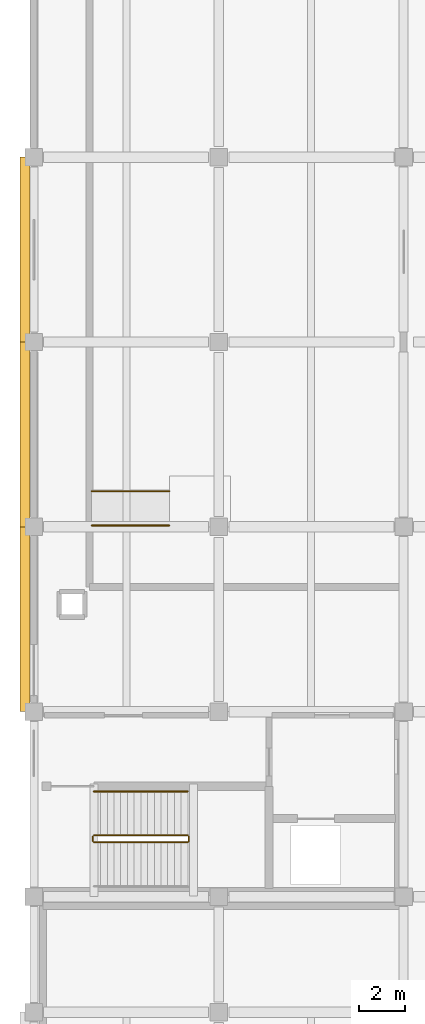
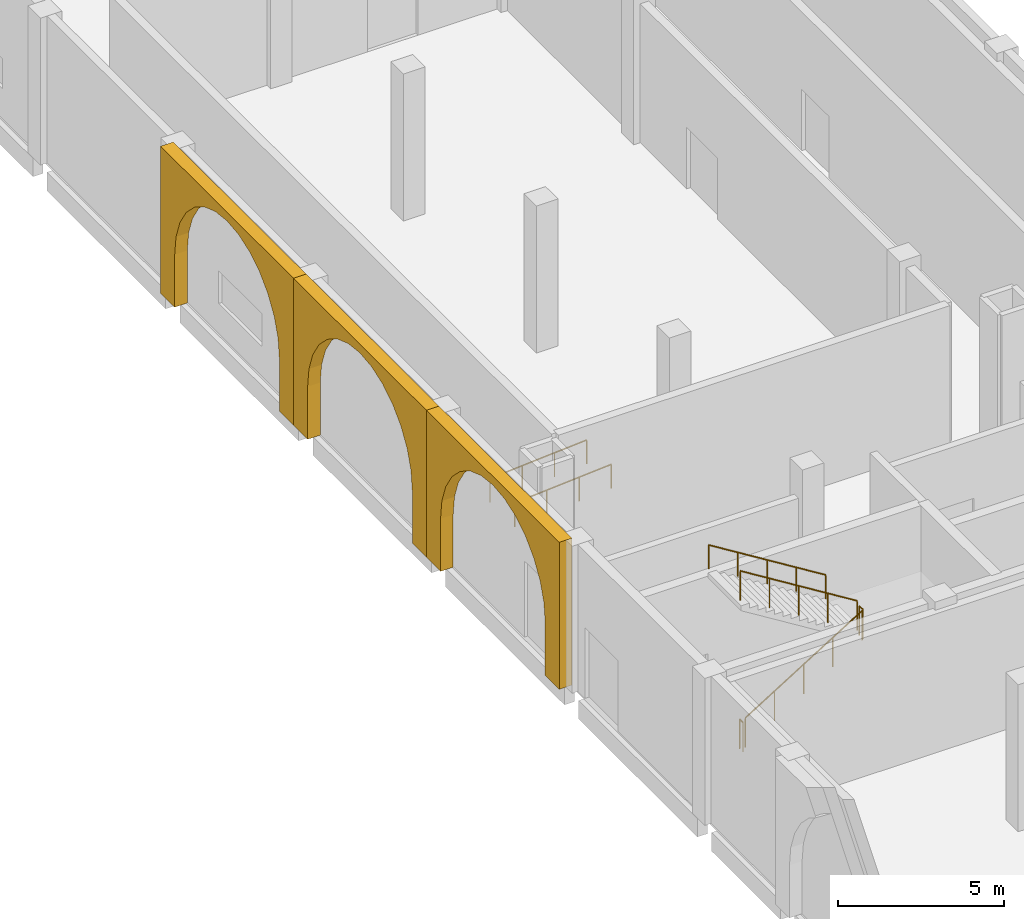
# One storey, part 36 of 40: 7 railings, 3 coverings.
"""IFC4 building model written with IfcOpenShell, lengths in metres."""

from ifc_helpers import new_model, si_unit, direction, frame, origin, origin_2d, place, context, subcontext, project, spatial, polyline, circle, outline, extrude, material, layer, layer_set, type_object, element, save


model = new_model("IFC4")

# Units and contexts
model_context = context("Model", 3, precision=1e-05, world=origin(), true_north=direction((0.0, 1.0)))
body_context = subcontext(model_context, "Body", "Model", "MODEL_VIEW")
ifc_project = project(units=[si_unit("LENGTHUNIT", "METRE"), si_unit("AREAUNIT", "SQUARE_METRE"), si_unit("VOLUMEUNIT", "CUBIC_METRE"), si_unit("PLANEANGLEUNIT", "RADIAN"), si_unit("MASSUNIT", "GRAM", prefix="KILO")], contexts=[model_context])

# Site, building, storey
site_placement = place(None, origin())
site = spatial("IfcSite", under=ifc_project, at=site_placement, CompositionType="ELEMENT")
building_placement = place(site_placement, origin())
building = spatial("IfcBuilding", under=site, at=building_placement, Name="Qorikala Patio Media Centre", CompositionType="ELEMENT")
storey_placement = place(building_placement, origin())
storey = spatial("IfcBuildingStorey", under=building, at=storey_placement, Name="L00", CompositionType="ELEMENT", Elevation=0.0)

# Coverings
ifc_material_1 = material(Name="Comanche Granite Ashlar Stone", Category="masonry")
ifc_layer = layer(ifc_material_1, 0.06005859375)
ifc_layer_set = layer_set([ifc_layer], Name="Comanche Granite Ashlar Stone")
covering_type = type_object("IfcCoveringType", Name="COV-CLAD-STONE", PredefinedType="CLADDING", material=ifc_layer_set)
for number, where, z_axis, x_axis, name in (
    (1, (2.6201171875, 72.0, 0.0), (0.0, 0.0, 1.0), (0.0, 1.0, 0.0), "Spanish Colonial Stone Arched Arcade PORT-W7"),
    (2, (2.6201171875, 80.0, 0.0), (0.0, 0.0, 1.0), (0.0, 1.0, 0.0), "Spanish Colonial Stone Arched Arcade PORT-W8"),
    (3, (2.6201171875, 88.0, 0.0), (0.0, 0.0, 1.0), (0.0, 1.0, 0.0), "Spanish Colonial Stone Arched Arcade PORT-W9"),
):
    element("IfcCovering", number, at=place(storey_placement, frame(where, z_axis=z_axis, x_axis=x_axis)), inside=storey, type_object=covering_type, Name=name, PredefinedType="CLADDING", context=body_context, shape_type="SweptSolid", body=[
        extrude(outline(polyline([(0.0, 0.0), (0.85009765625, 0.0), (0.85009765625, 1.929931640625), (0.928955078125, 2.630859375), (1.161865234375, 3.296630859375), (1.537109375, 3.893798828125), (2.035888671875, 4.392578125), (2.63330078125, 4.76806640625), (3.299072265625, 5.0009765625), (4.0, 5.079833984375), (4.700927734375, 5.0009765625), (5.36669921875, 4.76806640625), (5.964111328125, 4.392578125), (6.462890625, 3.893798828125), (6.838134765625, 3.296630859375), (7.071044921875, 2.630859375), (7.14990234375, 1.929931640625), (7.14990234375, 0.0), (8.0, 0.0), (8.0, 5.39990234375), (0.0, 5.39990234375), (0.0, 0.0)])), frame((0.0, 0.219970703125, 0.0), z_axis=(0.0, -1.0, 0.0), x_axis=(1.0, 0.0, 0.0)), (0.0, 0.0, 1.0), 0.43994140625),
    ])

# Railings
ifc_material_2 = material(Name="Wrought Bronze and Steel S355", Category="steel")
railing_type_1 = type_object("IfcRailingType", Name="RL-GUARD-110", PredefinedType="GUARDRAIL", material=ifc_material_2)
railing_1_placement = place(storey_placement, frame((5.60009765625, 66.35009765625, 0.179931640625)))
element("IfcRailing", 4, at=railing_1_placement, inside=storey, type_object=railing_type_1, Name="L00 ST-3 stair guard 1", PredefinedType="GUARDRAIL", context=body_context, shape_type="SweptSolid", body=[
    extrude(circle(Radius=0.02392578125, at=origin_2d()), frame((0.0, 0.0, 1.076171875), z_axis=(0.849627535208, 0.0, 0.527383211162), x_axis=(0.0, 1.0, 0.0)), (0.0, 0.0, 1.0), 4.7783203125),
    extrude(circle(Radius=0.02099609375, at=origin_2d()), origin(), (0.0, 0.0, 1.0), 1.052001953125),
    extrude(circle(Radius=0.02099609375, at=origin_2d()), frame((1.014892578125, 0.0, 0.6298828125)), (0.0, 0.0, 1.0), 1.052001953125),
    extrude(circle(Radius=0.02099609375, at=origin_2d()), frame((2.02978515625, 0.0, 1.260009765625)), (0.0, 0.0, 1.0), 1.052001953125),
    extrude(circle(Radius=0.02099609375, at=origin_2d()), frame((3.044921875, 0.0, 1.89013671875)), (0.0, 0.0, 1.0), 1.052001953125),
    extrude(circle(Radius=0.02099609375, at=origin_2d()), frame((4.059814453125, 0.0, 2.52001953125)), (0.0, 0.0, 1.0), 1.052001953125),
])
railing_2_placement = place(storey_placement, frame((9.7099609375, 66.39990234375, 2.699951171875)))
element("IfcRailing", 5, at=railing_2_placement, inside=storey, type_object=railing_type_1, Name="L00 ST-3 stair guard 2", PredefinedType="GUARDRAIL", context=body_context, shape_type="SweptSolid", body=[
    extrude(circle(Radius=0.02392578125, at=origin_2d()), frame((0.0, 0.0, 1.076171875), z_axis=(0.0, 1.0, 0.0), x_axis=(-1.0, 0.0, 0.0)), (0.0, 0.0, 1.0), 0.2001953125),
    extrude(circle(Radius=0.02099609375, at=origin_2d()), origin(), (0.0, 0.0, 1.0), 1.052001953125),
    extrude(circle(Radius=0.02099609375, at=origin_2d()), frame((0.0, 0.2001953125, 0.0)), (0.0, 0.0, 1.0), 1.052001953125),
])
railing_3_placement = place(storey_placement, frame((9.659912109375, 66.64990234375, 2.8798828125)))
element("IfcRailing", 6, at=railing_3_placement, inside=storey, type_object=railing_type_1, Name="L00 ST-3 stair guard 3", PredefinedType="GUARDRAIL", context=body_context, shape_type="SweptSolid", body=[
    extrude(circle(Radius=0.02392578125, at=origin_2d()), frame((0.0, 0.0, 1.076171875), z_axis=(-0.849627535208, 0.0, 0.527383211162), x_axis=(0.0, -1.0, 0.0)), (0.0, 0.0, 1.0), 4.7783203125),
    extrude(circle(Radius=0.02099609375, at=origin_2d()), origin(), (0.0, 0.0, 1.0), 1.052001953125),
    extrude(circle(Radius=0.02099609375, at=origin_2d()), frame((-1.014892578125, 0.0, 0.6298828125)), (0.0, 0.0, 1.0), 1.052001953125),
    extrude(circle(Radius=0.02099609375, at=origin_2d()), frame((-2.02978515625, 0.0, 1.260009765625)), (0.0, 0.0, 1.0), 1.052001953125),
    extrude(circle(Radius=0.02099609375, at=origin_2d()), frame((-3.044921875, 0.0, 1.89013671875)), (0.0, 0.0, 1.0), 1.052001953125),
    extrude(circle(Radius=0.02099609375, at=origin_2d()), frame((-4.059814453125, 0.0, 2.52001953125)), (0.0, 0.0, 1.0), 1.052001953125),
])
railing_4_placement = place(storey_placement, frame((5.550048828125, 66.39990234375, 0.0)))
element("IfcRailing", 7, at=railing_4_placement, inside=storey, type_object=railing_type_1, Name="L00 ST-3 stair guard 4", PredefinedType="GUARDRAIL", context=body_context, shape_type="SweptSolid", body=[
    extrude(circle(Radius=0.02392578125, at=origin_2d()), frame((0.0, 0.0, 1.076171875), z_axis=(0.0, 1.0, 0.0), x_axis=(-1.0, 0.0, 0.0)), (0.0, 0.0, 1.0), 0.2001953125),
    extrude(circle(Radius=0.02099609375, at=origin_2d()), origin(), (0.0, 0.0, 1.0), 1.052001953125),
    extrude(circle(Radius=0.02099609375, at=origin_2d()), frame((0.0, 0.2001953125, 0.0)), (0.0, 0.0, 1.0), 1.052001953125),
])
ifc_material_3 = material(Name="Brushed Bronze Tubular Steel S355", Category="steel")
railing_type_2 = type_object("IfcRailingType", Name="RL-HAND-090", PredefinedType="HANDRAIL", material=ifc_material_3)
railing_5_placement = place(storey_placement, frame((9.659912109375, 68.550048828125, 2.8798828125)))
element("IfcRailing", 8, at=railing_5_placement, inside=storey, type_object=railing_type_2, Name="L00 ST-3 stair handrail 2", PredefinedType="HANDRAIL", context=body_context, shape_type="SweptSolid", body=[
    extrude(circle(Radius=0.02392578125, at=origin_2d()), frame((0.0, 0.0, 0.8759765625), z_axis=(-0.849627535208, 0.0, 0.527383211162), x_axis=(0.0, -1.0, 0.0)), (0.0, 0.0, 1.0), 4.7783203125),
    extrude(circle(Radius=0.02099609375, at=origin_2d()), origin(), (0.0, 0.0, 1.0), 0.851806640625),
    extrude(circle(Radius=0.02099609375, at=origin_2d()), frame((-1.014892578125, 0.0, 0.6298828125)), (0.0, 0.0, 1.0), 0.851806640625),
    extrude(circle(Radius=0.02099609375, at=origin_2d()), frame((-2.02978515625, 0.0, 1.260009765625)), (0.0, 0.0, 1.0), 0.851806640625),
    extrude(circle(Radius=0.02099609375, at=origin_2d()), frame((-3.044921875, 0.0, 1.89013671875)), (0.0, 0.0, 1.0), 0.851806640625),
    extrude(circle(Radius=0.02099609375, at=origin_2d()), frame((-4.059814453125, 0.0, 2.52001953125)), (0.0, 0.0, 1.0), 0.851806640625),
])
for number, where, name in (
    (9, (5.5, 80.06005859375, 0.0), "RP-01 Accessible Ramp Handrail L"),
    (10, (5.5, 81.5400390625, 0.0), "RP-01 Accessible Ramp Handrail R"),
):
    element("IfcRailing", number, at=place(storey_placement, frame(where)), inside=storey, type_object=railing_type_2, Name=name, PredefinedType="HANDRAIL", context=body_context, shape_type="SweptSolid", body=[
        extrude(circle(Radius=0.02392578125, at=origin_2d()), frame((0.0, 0.0, 0.8759765625), z_axis=(0.997459067706, 0.0, 0.071241899553), x_axis=(0.0, 1.0, 0.0)), (0.0, 0.0, 1.0), 3.36865234375),
        extrude(circle(Radius=0.02099609375, at=origin_2d()), origin(), (0.0, 0.0, 1.0), 0.851806640625),
        extrude(circle(Radius=0.02099609375, at=origin_2d()), frame((1.1201171875, 0.0, 0.080078125)), (0.0, 0.0, 1.0), 0.851806640625),
        extrude(circle(Radius=0.02099609375, at=origin_2d()), frame((2.239990234375, 0.0, 0.159912109375)), (0.0, 0.0, 1.0), 0.851806640625),
        extrude(circle(Radius=0.02099609375, at=origin_2d()), frame((3.360107421875, 0.0, 0.239990234375)), (0.0, 0.0, 1.0), 0.851806640625),
    ])

save(model, "model.ifc")
